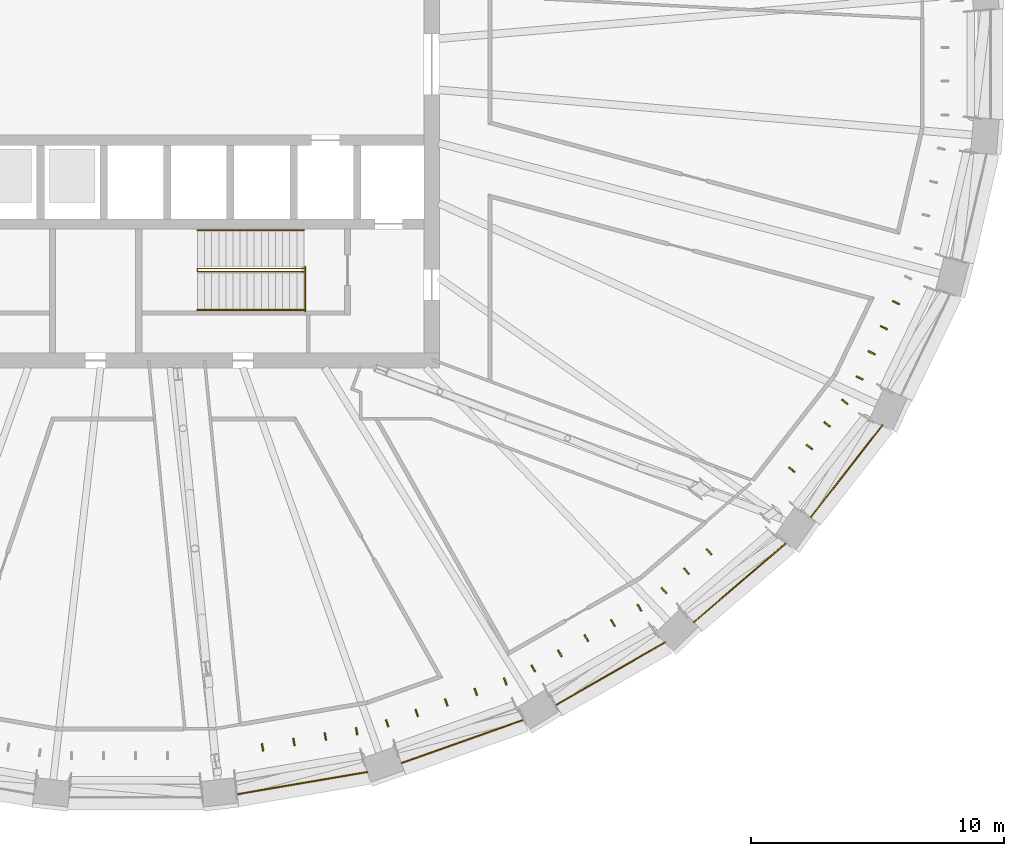
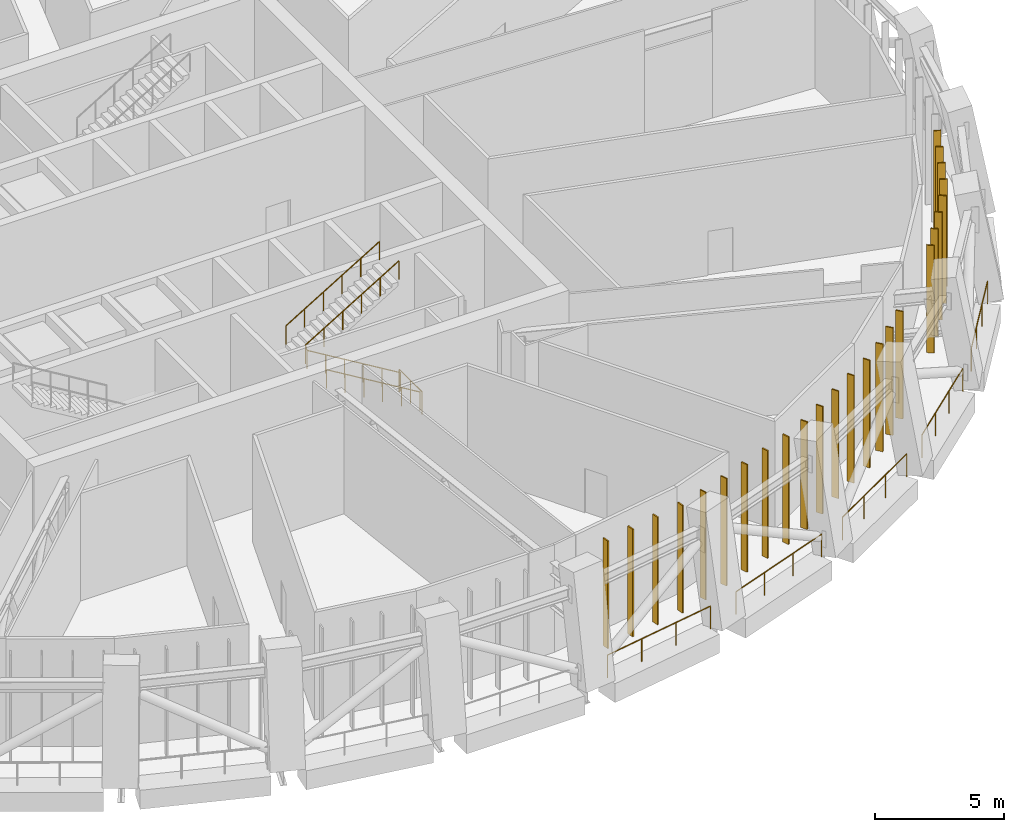
# One storey, part 17 of 21: 25 shading devices, 9 railings.
"""IFC4 building model written with IfcOpenShell, lengths in metres."""

from ifc_helpers import new_model, si_unit, direction, frame, origin, origin_2d, place, context, subcontext, project, spatial, rectangle, circle, extrude, material, material_profile, profile_set, type_object, element, save


model = new_model("IFC4")

# Units and contexts
model_context = context("Model", 3, precision=1e-05, world=origin(), true_north=direction((0.0, 1.0)))
body_context = subcontext(model_context, "Body", "Model", "MODEL_VIEW")
ifc_project = project(units=[si_unit("LENGTHUNIT", "METRE"), si_unit("AREAUNIT", "SQUARE_METRE"), si_unit("VOLUMEUNIT", "CUBIC_METRE"), si_unit("PLANEANGLEUNIT", "RADIAN"), si_unit("MASSUNIT", "GRAM", prefix="KILO")], contexts=[model_context])

# Site, building, storey
site_placement = place(None, origin())
site = spatial("IfcSite", under=ifc_project, at=site_placement, CompositionType="ELEMENT")
building_placement = place(site_placement, origin())
building = spatial("IfcBuilding", under=site, at=building_placement, Name="Halqa Exchange Tower", CompositionType="ELEMENT")
storey_placement = place(building_placement, frame((0.0, 0.0, 173.5)))
storey = spatial("IfcBuildingStorey", under=building, at=storey_placement, Name="L39", CompositionType="ELEMENT", Elevation=173.5)

# Shading devices
ifc_material_1 = material(Name="Anodised aluminium", Category="aluminium")
ifc_material_profile = material_profile(ifc_material_1, rectangle(XDim=0.300048828125, YDim=0.06005859375, at=origin_2d()), Name="AL FIN 300x60")
ifc_profile_set = profile_set([ifc_material_profile], Name="Anodised aluminium")
shading_device_type = type_object("IfcShadingDeviceType", Name="Aluminium louvre FIN 300 x 60", PredefinedType="USERDEFINED", material=ifc_profile_set)
for number, where, z_axis, x_axis, name in (
    (1, (5.017578125, -26.96533203125, 0.0), (0.0, 0.0, 1.0), (-0.168073033291, 0.985774545969, 0.0), "Louvre FIN 25.2"),
    (2, (6.256591796875, -26.754150390625, 0.0), (0.0, 0.0, 1.0), (-0.168073033291, 0.985774545969, 0.0), "Louvre FIN 25.3"),
    (3, (7.49560546875, -26.54296875, 0.0), (0.0, 0.0, 1.0), (-0.168073033291, 0.985774545969, 0.0), "Louvre FIN 25.4"),
    (4, (8.734619140625, -26.33154296875, 0.0), (0.0, 0.0, 1.0), (-0.168073033291, 0.985774545969, 0.0), "Louvre FIN 25.5"),
    (5, (9.93701171875, -26.01904296875, 0.0), (0.0, 0.0, 1.0), (-0.334580000129, 0.94236735062, 0.0), "Louvre FIN 26.1"),
    (6, (11.102783203125, -25.60498046875, 0.0), (0.0, 0.0, 1.0), (-0.334580000129, 0.94236735062, 0.0), "Louvre FIN 26.2"),
    (7, (12.268798828125, -25.191162109375, 0.0), (0.0, 0.0, 1.0), (-0.334580000129, 0.94236735062, 0.0), "Louvre FIN 26.3"),
    (8, (13.434814453125, -24.777099609375, 0.0), (0.0, 0.0, 1.0), (-0.334580000129, 0.94236735062, 0.0), "Louvre FIN 26.4"),
    (9, (14.6005859375, -24.36328125, 0.0), (0.0, 0.0, 1.0), (-0.334580000129, 0.94236735062, 0.0), "Louvre FIN 26.5"),
    (10, (15.70751953125, -23.856201171875, 0.0), (0.0, 0.0, 1.0), (-0.496981533691, 0.86776111642, 0.0), "Louvre FIN 27.1"),
    (11, (16.7548828125, -23.256103515625, 0.0), (0.0, 0.0, 1.0), (-0.496981533691, 0.86776111642, 0.0), "Louvre FIN 27.2"),
    (12, (17.802490234375, -22.65625, 0.0), (0.0, 0.0, 1.0), (-0.496981533691, 0.86776111642, 0.0), "Louvre FIN 27.3"),
    (13, (18.850341796875, -22.056396484375, 0.0), (0.0, 0.0, 1.0), (-0.496981533691, 0.86776111642, 0.0), "Louvre FIN 27.4"),
    (14, (19.89794921875, -21.456298828125, 0.0), (0.0, 0.0, 1.0), (-0.496981533691, 0.86776111642, 0.0), "Louvre FIN 27.5"),
    (15, (20.8662109375, -20.775390625, 0.0), (0.0, 0.0, 1.0), (-0.65078481863, 0.759262220739, 0.0), "Louvre FIN 28.1"),
    (16, (21.755126953125, -20.01318359375, 0.0), (0.0, 0.0, 1.0), (-0.65078481863, 0.759262220739, 0.0), "Louvre FIN 28.2"),
    (17, (22.644287109375, -19.251220703125, 0.0), (0.0, 0.0, 1.0), (-0.65078481863, 0.759262220739, 0.0), "Louvre FIN 28.3"),
    (18, (25.911865234375, -16.005615234375, 0.0), (0.0, 0.0, 1.0), (-0.788686159236, 0.614796016765, 0.0), "Louvre FIN 29.2"),
    (19, (26.608642578125, -15.11181640625, 0.0), (0.0, 0.0, 1.0), (-0.788686159236, 0.614796016765, 0.0), "Louvre FIN 29.3"),
    (20, (27.305419921875, -14.218017578125, 0.0), (0.0, 0.0, 1.0), (-0.788686159236, 0.614796016765, 0.0), "Louvre FIN 29.4"),
    (21, (28.002197265625, -13.32421875, 0.0), (0.0, 0.0, 1.0), (-0.788686159236, 0.614796016765, 0.0), "Louvre FIN 29.5"),
    (22, (28.58984375, -12.3818359375, 0.0), (0.0, 0.0, 1.0), (-0.900378013542, 0.43510852983, 0.0), "Louvre FIN 30.1"),
    (23, (29.068603515625, -11.39111328125, 0.0), (0.0, 0.0, 1.0), (-0.900378013542, 0.43510852983, 0.0), "Louvre FIN 30.2"),
    (24, (29.547607421875, -10.400390625, 0.0), (0.0, 0.0, 1.0), (-0.900378013542, 0.43510852983, 0.0), "Louvre FIN 30.3"),
    (25, (30.026123046875, -9.40966796875, 0.0), (0.0, 0.0, 1.0), (-0.900378013542, 0.43510852983, 0.0), "Louvre FIN 30.4"),
):
    element("IfcShadingDevice", number, at=place(storey_placement, frame(where, z_axis=z_axis, x_axis=x_axis)), inside=storey, type_object=shading_device_type, Name=name, ObjectType="FIN", PredefinedType="USERDEFINED", context=body_context, shape_type="SweptSolid", body=[
        extrude(rectangle(XDim=0.300048828125, YDim=0.06005859375, at=origin_2d()), origin(), (0.0, 0.0, 1.0), 5.10009765625),
    ])

# Railings
ifc_material_2 = material(Name="Stainless steel", Category="steel")
railing_type_1 = type_object("IfcRailingType", Name="Guard 1100 stainless steel", PredefinedType="GUARDRAIL", material=ifc_material_2)
railing_1_placement = place(storey_placement, frame((4.014892578125, -28.817626953125, 0.0)))
element("IfcRailing", 26, at=railing_1_placement, inside=storey, type_object=railing_type_1, Name="Band edge guard 25", PredefinedType="GUARDRAIL", context=body_context, shape_type="SweptSolid", body=[
    extrude(circle(Radius=0.02392578125, at=origin_2d()), frame((0.0, 0.0, 1.076171875), z_axis=(0.98577352138, 0.168079042556, 0.0), x_axis=(-0.168079042556, 0.98577352138, 0.0)), (0.0, 0.0, 1.0), 5.216064453125),
    extrude(circle(Radius=0.02099609375, at=origin_2d()), origin(), (0.0, 0.0, 1.0), 1.052001953125),
    extrude(circle(Radius=0.02099609375, at=origin_2d()), frame((1.7138671875, 0.292236328125, 0.0)), (0.0, 0.0, 1.0), 1.052001953125),
    extrude(circle(Radius=0.02099609375, at=origin_2d()), frame((3.427978515625, 0.58447265625, 0.0)), (0.0, 0.0, 1.0), 1.052001953125),
    extrude(circle(Radius=0.02099609375, at=origin_2d()), frame((5.141845703125, 0.876708984375, 0.0)), (0.0, 0.0, 1.0), 1.052001953125),
])
railing_2_placement = place(storey_placement, frame((10.50634765625, -27.589111328125, 0.0)))
element("IfcRailing", 27, at=railing_2_placement, inside=storey, type_object=railing_type_1, Name="Band edge guard 26", PredefinedType="GUARDRAIL", context=body_context, shape_type="SweptSolid", body=[
    extrude(circle(Radius=0.02392578125, at=origin_2d()), frame((0.0, 0.0, 1.076171875), z_axis=(0.942361789269, 0.334595663639, 0.0), x_axis=(-0.334595663639, 0.942361789269, 0.0)), (0.0, 0.0, 1.0), 5.119384765625),
    extrude(circle(Radius=0.02099609375, at=origin_2d()), origin(), (0.0, 0.0, 1.0), 1.052001953125),
    extrude(circle(Radius=0.02099609375, at=origin_2d()), frame((1.608154296875, 0.571044921875, 0.0)), (0.0, 0.0, 1.0), 1.052001953125),
    extrude(circle(Radius=0.02099609375, at=origin_2d()), frame((3.216064453125, 1.141845703125, 0.0)), (0.0, 0.0, 1.0), 1.052001953125),
    extrude(circle(Radius=0.02099609375, at=origin_2d()), frame((4.82421875, 1.712890625, 0.0)), (0.0, 0.0, 1.0), 1.052001953125),
])
railing_3_placement = place(storey_placement, frame((16.59765625, -25.294189453125, 0.0)))
element("IfcRailing", 28, at=railing_3_placement, inside=storey, type_object=railing_type_1, Name="Band edge guard 27", PredefinedType="GUARDRAIL", context=body_context, shape_type="SweptSolid", body=[
    extrude(circle(Radius=0.02392578125, at=origin_2d()), frame((0.0, 0.0, 1.076171875), z_axis=(0.867750144397, 0.497000691044, 0.0), x_axis=(-0.497000691044, 0.867750144397, 0.0)), (0.0, 0.0, 1.0), 4.9716796875),
    extrude(circle(Radius=0.02099609375, at=origin_2d()), origin(), (0.0, 0.0, 1.0), 1.052001953125),
    extrude(circle(Radius=0.02099609375, at=origin_2d()), frame((1.43798828125, 0.82373046875, 0.0)), (0.0, 0.0, 1.0), 1.052001953125),
    extrude(circle(Radius=0.02099609375, at=origin_2d()), frame((2.876220703125, 1.647216796875, 0.0)), (0.0, 0.0, 1.0), 1.052001953125),
    extrude(circle(Radius=0.02099609375, at=origin_2d()), frame((4.314208984375, 2.470947265625, 0.0)), (0.0, 0.0, 1.0), 1.052001953125),
])
railing_4_placement = place(storey_placement, frame((22.05078125, -22.019775390625, 0.0)))
element("IfcRailing", 29, at=railing_4_placement, inside=storey, type_object=railing_type_1, Name="Band edge guard 28", PredefinedType="GUARDRAIL", context=body_context, shape_type="SweptSolid", body=[
    extrude(circle(Radius=0.02392578125, at=origin_2d()), frame((0.0, 0.0, 1.076171875), z_axis=(0.759270984469, 0.65077459396, 0.0), x_axis=(-0.65077459396, 0.759270984469, 0.0)), (0.0, 0.0, 1.0), 4.79296875),
    extrude(circle(Radius=0.02099609375, at=origin_2d()), origin(), (0.0, 0.0, 1.0), 1.052001953125),
    extrude(circle(Radius=0.02099609375, at=origin_2d()), frame((1.213134765625, 1.039794921875, 0.0)), (0.0, 0.0, 1.0), 1.052001953125),
    extrude(circle(Radius=0.02099609375, at=origin_2d()), frame((2.426025390625, 2.079345703125, 0.0)), (0.0, 0.0, 1.0), 1.052001953125),
    extrude(circle(Radius=0.02099609375, at=origin_2d()), frame((3.63916015625, 3.119140625, 0.0)), (0.0, 0.0, 1.0), 1.052001953125),
])
railing_5_placement = place(storey_placement, frame((26.65185546875, -17.89306640625, 0.0)))
element("IfcRailing", 30, at=railing_5_placement, inside=storey, type_object=railing_type_1, Name="Band edge guard 29", PredefinedType="GUARDRAIL", context=body_context, shape_type="SweptSolid", body=[
    extrude(circle(Radius=0.02392578125, at=origin_2d()), frame((0.0, 0.0, 1.076171875), z_axis=(0.614787396714, 0.788692878655, 0.0), x_axis=(-0.788692878655, 0.614787396714, 0.0)), (0.0, 0.0, 1.0), 4.60888671875),
    extrude(circle(Radius=0.02099609375, at=origin_2d()), origin(), (0.0, 0.0, 1.0), 1.052001953125),
    extrude(circle(Radius=0.02099609375, at=origin_2d()), frame((0.944580078125, 1.211669921875, 0.0)), (0.0, 0.0, 1.0), 1.052001953125),
    extrude(circle(Radius=0.02099609375, at=origin_2d()), frame((1.888916015625, 2.42333984375, 0.0)), (0.0, 0.0, 1.0), 1.052001953125),
    extrude(circle(Radius=0.02099609375, at=origin_2d()), frame((2.83349609375, 3.635009765625, 0.0)), (0.0, 0.0, 1.0), 1.052001953125),
])
railing_type_2 = type_object("IfcRailingType", Name="Stair handrail 900", PredefinedType="HANDRAIL", material=ifc_material_2)
railing_6_placement = place(storey_placement, frame((6.64990234375, -8.18994140625, 0.168701171875)))
element("IfcRailing", 31, at=railing_6_placement, inside=storey, type_object=railing_type_2, Name="Handrail ST4.1", PredefinedType="HANDRAIL", context=body_context, shape_type="SweptSolid", body=[
    extrude(circle(Radius=0.02392578125, at=origin_2d()), frame((0.0, 0.0, 0.8759765625), z_axis=(-0.856476492594, 0.0, 0.516186030065), x_axis=(0.0, -1.0, 0.0)), (0.0, 0.0, 1.0), 4.90380859375),
    extrude(circle(Radius=0.02392578125, at=origin_2d()), frame((-4.199951171875, 0.0, 3.4072265625), z_axis=(0.0, 0.610043206925, 0.792368150348), x_axis=(-1.0, 0.0, 0.0)), (0.0, 0.0, 1.0), 0.212890625),
    extrude(circle(Radius=0.02392578125, at=origin_2d()), frame((-4.199951171875, 0.1298828125, 3.57568359375), z_axis=(0.856476492594, 0.0, 0.516186030065), x_axis=(0.0, 1.0, 0.0)), (0.0, 0.0, 1.0), 4.90380859375),
    extrude(circle(Radius=0.02099609375, at=origin_2d()), origin(), (0.0, 0.0, 1.0), 0.851806640625),
    extrude(circle(Radius=0.02099609375, at=origin_2d()), frame((-0.840087890625, 0.0, 0.50634765625)), (0.0, 0.0, 1.0), 0.851806640625),
    extrude(circle(Radius=0.02099609375, at=origin_2d()), frame((-1.679931640625, 0.0, 1.012451171875)), (0.0, 0.0, 1.0), 0.851806640625),
    extrude(circle(Radius=0.02099609375, at=origin_2d()), frame((-2.52001953125, 0.0, 1.518798828125)), (0.0, 0.0, 1.0), 0.851806640625),
    extrude(circle(Radius=0.02099609375, at=origin_2d()), frame((-3.35986328125, 0.0, 2.02490234375)), (0.0, 0.0, 1.0), 0.851806640625),
    extrude(circle(Radius=0.02099609375, at=origin_2d()), frame((-4.199951171875, 0.0, 2.53125)), (0.0, 0.0, 1.0), 0.851806640625),
    extrude(circle(Radius=0.02099609375, at=origin_2d()), frame((-4.199951171875, 0.1298828125, 2.699951171875)), (0.0, 0.0, 1.0), 0.851806640625),
    extrude(circle(Radius=0.02099609375, at=origin_2d()), frame((-3.35986328125, 0.1298828125, 3.206298828125)), (0.0, 0.0, 1.0), 0.851806640625),
    extrude(circle(Radius=0.02099609375, at=origin_2d()), frame((-2.52001953125, 0.1298828125, 3.71240234375)), (0.0, 0.0, 1.0), 0.851806640625),
    extrude(circle(Radius=0.02099609375, at=origin_2d()), frame((-1.679931640625, 0.1298828125, 4.21875)), (0.0, 0.0, 1.0), 0.851806640625),
    extrude(circle(Radius=0.02099609375, at=origin_2d()), frame((-0.840087890625, 0.1298828125, 4.724853515625)), (0.0, 0.0, 1.0), 0.851806640625),
    extrude(circle(Radius=0.02099609375, at=origin_2d()), frame((0.0, 0.1298828125, 5.231201171875)), (0.0, 0.0, 1.0), 0.851806640625),
])
railing_7_placement = place(storey_placement, frame((6.64990234375, -9.699951171875, 0.168701171875)))
element("IfcRailing", 32, at=railing_7_placement, inside=storey, type_object=railing_type_2, Name="Handrail ST4.2", PredefinedType="HANDRAIL", context=body_context, shape_type="SweptSolid", body=[
    extrude(circle(Radius=0.02392578125, at=origin_2d()), frame((0.0, 0.0, 0.8759765625), z_axis=(-0.856476492594, 0.0, 0.516186030065), x_axis=(0.0, -1.0, 0.0)), (0.0, 0.0, 1.0), 4.90380859375),
    extrude(circle(Radius=0.02099609375, at=origin_2d()), origin(), (0.0, 0.0, 1.0), 0.851806640625),
    extrude(circle(Radius=0.02099609375, at=origin_2d()), frame((-0.840087890625, 0.0, 0.50634765625)), (0.0, 0.0, 1.0), 0.851806640625),
    extrude(circle(Radius=0.02099609375, at=origin_2d()), frame((-1.679931640625, 0.0, 1.012451171875)), (0.0, 0.0, 1.0), 0.851806640625),
    extrude(circle(Radius=0.02099609375, at=origin_2d()), frame((-2.52001953125, 0.0, 1.518798828125)), (0.0, 0.0, 1.0), 0.851806640625),
    extrude(circle(Radius=0.02099609375, at=origin_2d()), frame((-3.35986328125, 0.0, 2.02490234375)), (0.0, 0.0, 1.0), 0.851806640625),
    extrude(circle(Radius=0.02099609375, at=origin_2d()), frame((-4.199951171875, 0.0, 2.53125)), (0.0, 0.0, 1.0), 0.851806640625),
])
railing_8_placement = place(storey_placement, frame((2.449951171875, -6.550048828125, 2.86865234375)))
element("IfcRailing", 33, at=railing_8_placement, inside=storey, type_object=railing_type_2, Name="Handrail ST4.3", PredefinedType="HANDRAIL", context=body_context, shape_type="SweptSolid", body=[
    extrude(circle(Radius=0.02392578125, at=origin_2d()), frame((0.0, 0.0, 0.8759765625), z_axis=(0.856476492594, 0.0, 0.516186030065), x_axis=(0.0, 1.0, 0.0)), (0.0, 0.0, 1.0), 4.90380859375),
    extrude(circle(Radius=0.02099609375, at=origin_2d()), origin(), (0.0, 0.0, 1.0), 0.851806640625),
    extrude(circle(Radius=0.02099609375, at=origin_2d()), frame((0.840087890625, 0.0, 0.50634765625)), (0.0, 0.0, 1.0), 0.851806640625),
    extrude(circle(Radius=0.02099609375, at=origin_2d()), frame((1.679931640625, 0.0, 1.012451171875)), (0.0, 0.0, 1.0), 0.851806640625),
    extrude(circle(Radius=0.02099609375, at=origin_2d()), frame((2.52001953125, 0.0, 1.518798828125)), (0.0, 0.0, 1.0), 0.851806640625),
    extrude(circle(Radius=0.02099609375, at=origin_2d()), frame((3.35986328125, 0.0, 2.02490234375)), (0.0, 0.0, 1.0), 0.851806640625),
    extrude(circle(Radius=0.02099609375, at=origin_2d()), frame((4.199951171875, 0.0, 2.53125)), (0.0, 0.0, 1.0), 0.851806640625),
])
railing_type_3 = type_object("IfcRailingType", Name="Stair well guard 1100", PredefinedType="GUARDRAIL", material=ifc_material_2)
railing_9_placement = place(storey_placement, frame((6.699951171875, -9.75, 0.0)))
element("IfcRailing", 34, at=railing_9_placement, inside=storey, type_object=railing_type_3, Name="Guard ST4 well", PredefinedType="GUARDRAIL", context=body_context, shape_type="SweptSolid", body=[
    extrude(circle(Radius=0.02392578125, at=origin_2d()), frame((0.0, 0.0, 1.076171875), z_axis=(0.0, 1.0, 0.0), x_axis=(-1.0, 0.0, 0.0)), (0.0, 0.0, 1.0), 1.75),
    extrude(circle(Radius=0.02099609375, at=origin_2d()), origin(), (0.0, 0.0, 1.0), 1.052001953125),
    extrude(circle(Radius=0.02099609375, at=origin_2d()), frame((0.0, 0.875, 0.0)), (0.0, 0.0, 1.0), 1.052001953125),
    extrude(circle(Radius=0.02099609375, at=origin_2d()), frame((0.0, 1.75, 0.0)), (0.0, 0.0, 1.0), 1.052001953125),
])

save(model, "model.ifc")
